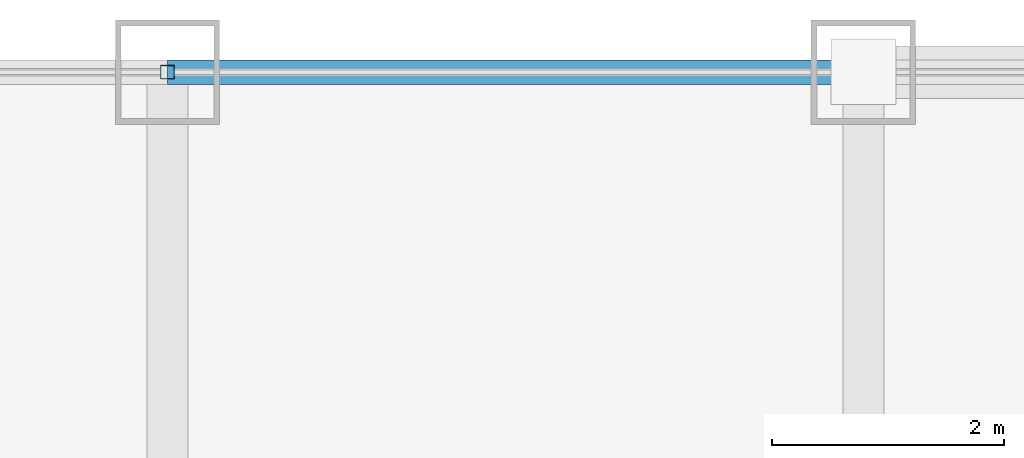
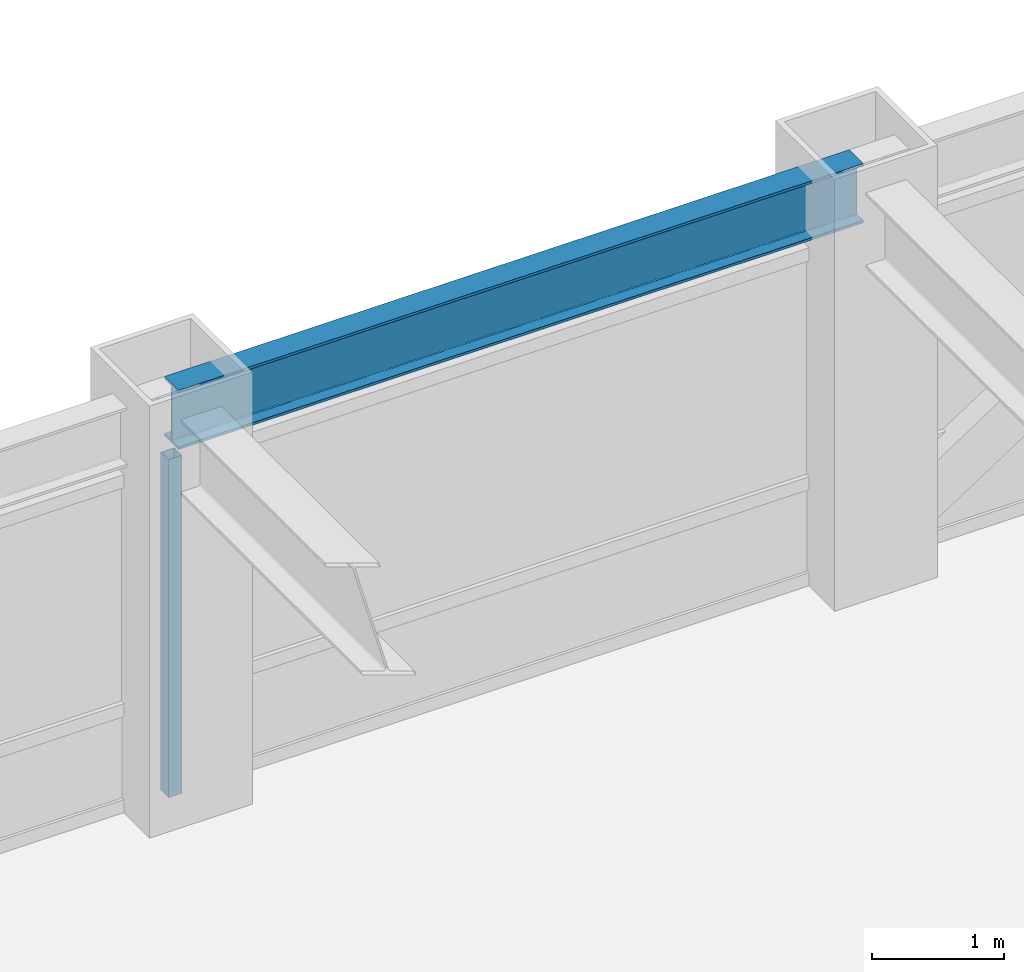
# One storey, part 14 of 22: 1 beam, 1 member, 1 element without a shape of its own.
"""IFC4 building model written with IfcOpenShell, lengths in metres."""

from ifc_helpers import new_model, si_unit, direction, frame, origin, origin_2d, place, context, subcontext, project, spatial, hollow_rectangle, i_section, extrude, source, transform, mapped, material, material_profile, profile_set, type_object, element, aggregate, save


model = new_model("IFC4")

# Units and contexts
model_context = context("Model", 3, precision=1e-05, world=origin(), true_north=direction((0.0, 1.0)))
body_context = subcontext(model_context, "Body", "Model", "MODEL_VIEW")
ifc_project = project(units=[si_unit("LENGTHUNIT", "METRE"), si_unit("AREAUNIT", "SQUARE_METRE"), si_unit("VOLUMEUNIT", "CUBIC_METRE"), si_unit("PLANEANGLEUNIT", "RADIAN"), si_unit("MASSUNIT", "GRAM", prefix="KILO")], contexts=[model_context])

# Site, building, storey
site_placement = place(None, origin())
site = spatial("IfcSite", under=ifc_project, at=site_placement, CompositionType="ELEMENT")
building_placement = place(site_placement, origin())
building = spatial("IfcBuilding", under=site, at=building_placement, Name="Khorayat Bourse Tower", CompositionType="ELEMENT")
storey_placement = place(building_placement, frame((0.0, 0.0, 297.5)))
storey = spatial("IfcBuildingStorey", under=building, at=storey_placement, Name="L70", CompositionType="ELEMENT", Elevation=297.5)

# Beam
ifc_material_1 = material(Name="Steel ASTM A992 Grade 50", Category="steel")
ifc_material_profile_1 = material_profile(ifc_material_1, i_section(OverallWidth=0.214111328125, OverallDepth=0.549072265625, WebThickness=0.0146484375, FlangeThickness=0.023681640625, FilletRadius=0.013916015625, at=origin_2d()), Name="W530X138")
ifc_profile_set_1 = profile_set([ifc_material_profile_1], Name="Steel ASTM A992 Grade 50")
beam_type = type_object("IfcBeamType", Name="BM-SPAN-530", PredefinedType="SPANDREL", material=ifc_profile_set_1)
shared_shape_1 = source(origin(), body_context, "Body", "SweptSolid", [
    extrude(i_section(OverallWidth=0.214111328125, OverallDepth=0.549072265625, WebThickness=0.0146484375, FlangeThickness=0.023681640625, FilletRadius=0.013916015625, at=origin_2d()), origin(), (0.0, 0.0, 1.0), 6.0),
])
beam_placement = place(storey_placement, frame((0.0, 28.0, 3.505615234375), z_axis=(1.0, 0.0, 0.0), x_axis=(0.0, 1.0, 0.0)))
element("IfcBeam", 1, at=beam_placement, inside=storey, type_object=beam_type, Name="L70 BM-SPAN-530 BM-L70-SPN-047", PredefinedType="SPANDREL", context=body_context, shape_type="MappedRepresentation", body=[
    mapped(shared_shape_1, transform((0.0, 0.0, 0.0), scale=1.0)),
])

# Curtain wall, member
ifc_material_2 = material(Name="Aluminium EN AW-6063 T6", Category="aluminium")
curtain_wall_type = type_object("IfcCurtainWallType", Name="CW-SYS-04", PredefinedType="NOTDEFINED", material=ifc_material_2)
curtain_wall_placement = place(storey_placement, origin())
curtain_wall = element("IfcCurtainWall", 2, at=curtain_wall_placement, inside=storey, type_object=curtain_wall_type, Name="L70 Curtain Wall CW-L70-N1", PredefinedType="NOTDEFINED")
ifc_material_profile_2 = material_profile(ifc_material_2, hollow_rectangle(XDim=0.1201171875, YDim=0.1201171875, WallThickness=0.0048828125, at=origin_2d()), Name="ALU 120x120x5")
ifc_profile_set_2 = profile_set([ifc_material_profile_2], Name="Aluminium EN AW-6063 T6")
member_type = type_object("IfcMemberType", Name="CWM-VERT-120", PredefinedType="MULLION", material=ifc_profile_set_2)
shared_shape_2 = source(origin(), body_context, "Body", "SweptSolid", [
    extrude(hollow_rectangle(XDim=0.1201171875, YDim=0.1201171875, WallThickness=0.0048828125, at=origin_2d()), origin(), (0.0, 0.0, 1.0), 3.1298828125),
])
member_placement = place(storey_placement, frame((0.0, 28.0, 0.0), z_axis=(0.0, 0.0, 1.0), x_axis=(0.0, 1.0, 0.0)))
member = element("IfcMember", 3, at=member_placement, type_object=member_type, Name="CW-L70-N1 Vertical Mullion 2", PredefinedType="MULLION", context=body_context, shape_type="MappedRepresentation", body=[
    mapped(shared_shape_2, transform((0.0, 0.0, 0.0), scale=1.0)),
])
aggregate(curtain_wall, [member])

save(model, "model.ifc")
